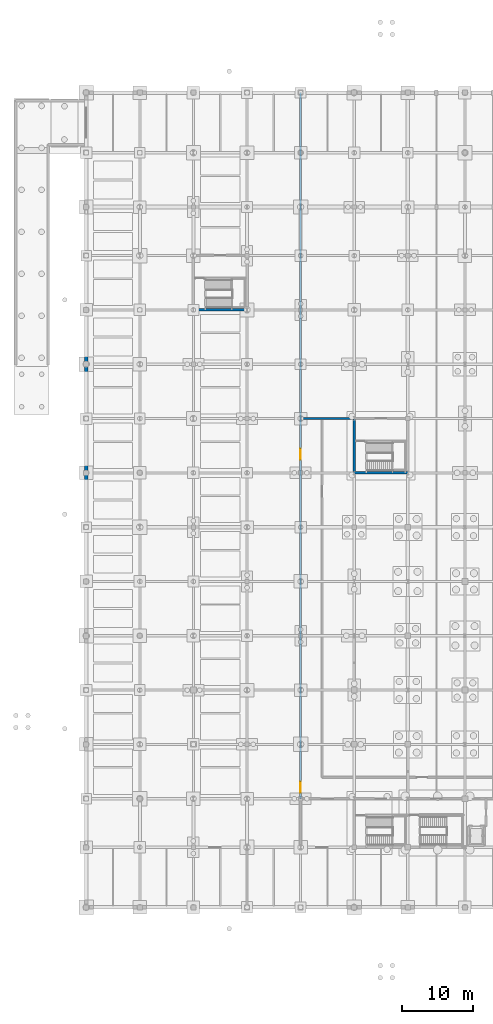
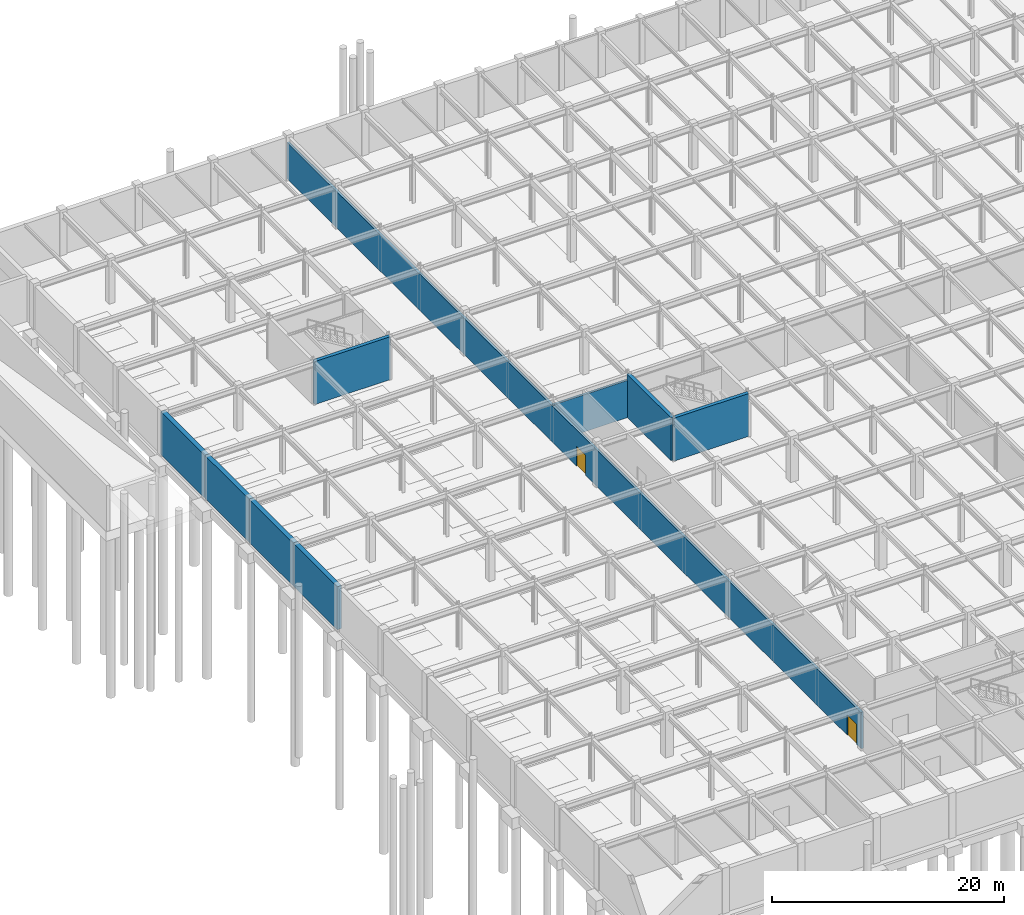
# One storey, part 43 of 53: 9 walls, 2 doors, 2 openings.
"""IFC4 building model written with IfcOpenShell, lengths in metres."""

from ifc_helpers import new_model, si_unit, direction, frame, frame_2d, origin, place, context, subcontext, project, spatial, rectangle, extrude, material, layer, layer_set, type_object, element, fill, save


model = new_model("IFC4")

# Units and contexts
model_context = context("Model", 3, precision=1e-05, world=origin(), true_north=direction((0.0, 1.0)))
body_context = subcontext(model_context, "Body", "Model", "MODEL_VIEW")
ifc_project = project(units=[si_unit("LENGTHUNIT", "METRE"), si_unit("AREAUNIT", "SQUARE_METRE"), si_unit("VOLUMEUNIT", "CUBIC_METRE"), si_unit("PLANEANGLEUNIT", "RADIAN"), si_unit("MASSUNIT", "GRAM", prefix="KILO")], contexts=[model_context])

# Site, building, storey
site_placement = place(None, origin())
site = spatial("IfcSite", under=ifc_project, at=site_placement, CompositionType="ELEMENT")
building_placement = place(site_placement, origin())
building = spatial("IfcBuilding", under=site, at=building_placement, Name="Shalkamar Park Central Library", CompositionType="ELEMENT")
storey_placement = place(building_placement, frame((0.0, 0.0, -4.800048828125)))
storey = spatial("IfcBuildingStorey", under=building, at=storey_placement, Name="B1", CompositionType="ELEMENT", Elevation=-4.800048828125)

# Walls
ifc_material_1 = material(Name="Concrete C40/50", Category="concrete")
ifc_layer_1 = layer(ifc_material_1, 0.449951171875)
ifc_layer_set_1 = layer_set([ifc_layer_1], Name="Concrete C40/50")
wall_type_1 = type_object("IfcWallType", Name="Basement Retaining Shear Wall 450", PredefinedType="SHEAR", material=ifc_layer_set_1)
wall_1_placement = place(storey_placement, frame((120.0, 293.199951171875, 0.0), z_axis=(0.0, 0.0, 1.0), x_axis=(0.0, 1.0, 0.0)))
element("IfcWall", 1, at=wall_1_placement, inside=storey, type_object=wall_type_1, Name="Basement Retaining Wall W-H", PredefinedType="SHEAR", context=body_context, shape_type="SweptSolid", body=[
    extrude(rectangle(XDim=7.60009765625, YDim=0.449951171875, at=frame_2d((3.800048828125, 0.0))), origin(), (0.0, 0.0, 1.0), 4.510009765625),
])
wall_2_placement = place(storey_placement, frame((120.0, 300.800048828125, 0.0), z_axis=(0.0, 0.0, 1.0), x_axis=(0.0, 1.0, 0.0)))
element("IfcWall", 2, at=wall_2_placement, inside=storey, type_object=wall_type_1, Name="Basement Retaining Wall W-J", PredefinedType="SHEAR", context=body_context, shape_type="SweptSolid", body=[
    extrude(rectangle(XDim=7.599853515625, YDim=0.449951171875, at=frame_2d((3.7998046875, 0.0))), origin(), (0.0, 0.0, 1.0), 4.510009765625),
])
for number, where, z_axis, x_axis, name in (
    (3, (120.0, 308.39990234375, 0.0), (0.0, 0.0, 1.0), (0.0, 1.0, 0.0), "Basement Retaining Wall W-K"),
    (4, (120.0, 316.0, 0.0), (0.0, 0.0, 1.0), (0.0, 1.0, 0.0), "Basement Retaining Wall W-L"),
):
    element("IfcWall", number, at=place(storey_placement, frame(where, z_axis=z_axis, x_axis=x_axis)), inside=storey, type_object=wall_type_1, Name=name, PredefinedType="SHEAR", context=body_context, shape_type="SweptSolid", body=[
        extrude(rectangle(XDim=7.60009765625, YDim=0.449951171875, at=frame_2d((3.800048828125, 0.0))), origin(), (0.0, 0.0, 1.0), 4.510009765625),
    ])

# Wall, openings, doors
ifc_material_2 = material(Name="Reinforced fire-compartment masonry wall", Category="masonry")
ifc_layer_2 = layer(ifc_material_2, 0.239990234375)
ifc_layer_set_2 = layer_set([ifc_layer_2], Name="CompartmentWall_240")
wall_type_2 = type_object("IfcWallType", Name="Compartment Wall 240", PredefinedType="PARTITIONING", material=ifc_layer_set_2)
wall_3_placement = place(storey_placement, frame((150.0, 255.199951171875, 0.0), z_axis=(0.0, 0.0, 1.0), x_axis=(0.0, 1.0, 0.0)))
wall_3 = element("IfcWall", 5, at=wall_3_placement, inside=storey, type_object=wall_type_2, Name="Interior Partition WL-INT-B1-027", PredefinedType="PARTITIONING", context=body_context, shape_type="SweptSolid", body=[
    extrude(rectangle(XDim=98.800048828125, YDim=0.239990234375, at=frame_2d((49.39990234375, 0.0))), origin(), (0.0, 0.0, 1.0), 3.80810546875),
])
opening_1_placement = place(wall_3_placement, frame((0.800048828125, 0.0, 0.0)))
opening_1 = element("IfcOpeningElement", 6, at=opening_1_placement, cuts=wall_3, Name="Opening DR-B1-024", PredefinedType="OPENING", context=body_context, shape_type="SweptSolid", body=[
    extrude(rectangle(XDim=1.60009765625, YDim=2.10009765625, at=frame_2d((0.800048828125, 1.050048828125))), frame((0.0, 0.134765625, 0.0), z_axis=(0.0, -1.0, 0.0), x_axis=(1.0, 0.0, 0.0)), (0.0, 0.0, 1.0), 0.269775390625),
])
opening_2_placement = place(wall_3_placement, frame((47.39990234375, 0.0, 0.0)))
opening_2 = element("IfcOpeningElement", 7, at=opening_2_placement, cuts=wall_3, Name="Opening DR-B1-025", PredefinedType="OPENING", context=body_context, shape_type="SweptSolid", body=[
    extrude(rectangle(XDim=1.60009765625, YDim=2.10009765625, at=frame_2d((0.800048828125, 1.050048828125))), frame((0.0, 0.134765625, 0.0), z_axis=(0.0, -1.0, 0.0), x_axis=(1.0, 0.0, 0.0)), (0.0, 0.0, 1.0), 0.269775390625),
])
ifc_material_3 = material(Name="Steel S355", Category="steel")
door_type = type_object("IfcDoorType", Name="Fire Door Double 1600x2100", OperationType="DOUBLE_DOOR_SINGLE_SWING", PredefinedType="DOOR", material=ifc_material_3)
door_1_placement = place(opening_1_placement, origin())
door_1 = element("IfcDoor", 8, at=door_1_placement, inside=storey, type_object=door_type, Name="Parking Airlock Vestibule South Door", OperationType="DOUBLE_DOOR_SINGLE_SWING", OverallHeight=2.10009765625, OverallWidth=1.60009765625, PredefinedType="DOOR", context=body_context, shape_type="SweptSolid", body=[
    extrude(rectangle(XDim=1.60009765625, YDim=2.10009765625, at=frame_2d((0.800048828125, 1.050048828125))), frame((0.0, 0.02490234375, 0.0), z_axis=(0.0, -1.0, 0.0), x_axis=(1.0, 0.0, 0.0)), (0.0, 0.0, 1.0), 0.050048828125),
])
fill(opening_1, door_1)
door_2_placement = place(opening_2_placement, origin())
door_2 = element("IfcDoor", 9, at=door_2_placement, inside=storey, type_object=door_type, Name="Parking Airlock Vestibule North Door", OperationType="DOUBLE_DOOR_SINGLE_SWING", OverallHeight=2.10009765625, OverallWidth=1.60009765625, PredefinedType="DOOR", context=body_context, shape_type="SweptSolid", body=[
    extrude(rectangle(XDim=1.60009765625, YDim=2.10009765625, at=frame_2d((0.800048828125, 1.050048828125))), frame((0.0, 0.02490234375, 0.0), z_axis=(0.0, -1.0, 0.0), x_axis=(1.0, 0.0, 0.0)), (0.0, 0.0, 1.0), 0.050048828125),
])
fill(opening_2, door_2)

# Walls
wall_4_placement = place(storey_placement, frame((150.0, 308.39990234375, 0.0), z_axis=(0.0, 0.0, 1.0), x_axis=(1.0, 0.0, 0.0)))
element("IfcWall", 10, at=wall_4_placement, inside=storey, type_object=wall_type_2, Name="Interior Partition WL-INT-B1-034-S1", PredefinedType="PARTITIONING", context=body_context, shape_type="SweptSolid", body=[
    extrude(rectangle(XDim=7.5, YDim=0.239990234375, at=frame_2d((3.75, 0.0))), origin(), (0.0, 0.0, 1.0), 3.907958984375),
])
ifc_layer_3 = layer(ifc_material_1, 0.35009765625)
ifc_layer_set_3 = layer_set([ifc_layer_3], Name="Concrete C40/50")
wall_type_3 = type_object("IfcWallType", Name="Podium Core Shear Wall 350", PredefinedType="SHEAR", material=ifc_layer_set_3)
wall_5_placement = place(storey_placement, frame((157.5, 300.800048828125, 0.0), z_axis=(0.0, 0.0, 1.0), x_axis=(1.0, 0.0, 0.0)))
element("IfcWall", 11, at=wall_5_placement, inside=storey, type_object=wall_type_3, Name="CORE-P2 South Shear Wall (B1)", PredefinedType="SHEAR", context=body_context, shape_type="SweptSolid", body=[
    extrude(rectangle(XDim=7.5, YDim=0.35009765625, at=frame_2d((3.75, 0.0))), origin(), (0.0, 0.0, 1.0), 4.510009765625),
])
wall_6_placement = place(storey_placement, frame((157.5, 300.800048828125, 0.0), z_axis=(0.0, 0.0, 1.0), x_axis=(0.0, 1.0, 0.0)))
element("IfcWall", 12, at=wall_6_placement, inside=storey, type_object=wall_type_3, Name="CORE-P2 West Shear Wall (B1)", PredefinedType="SHEAR", context=body_context, shape_type="SweptSolid", body=[
    extrude(rectangle(XDim=7.599853515625, YDim=0.35009765625, at=frame_2d((3.7998046875, 0.0))), origin(), (0.0, 0.0, 1.0), 4.510009765625),
])
wall_7_placement = place(storey_placement, frame((135.0, 323.60009765625, 0.0), z_axis=(0.0, 0.0, 1.0), x_axis=(1.0, 0.0, 0.0)))
element("IfcWall", 13, at=wall_7_placement, inside=storey, type_object=wall_type_3, Name="CORE-P5 South Shear Wall (B1)", PredefinedType="SHEAR", context=body_context, shape_type="SweptSolid", body=[
    extrude(rectangle(XDim=7.5, YDim=0.35009765625, at=frame_2d((3.75, 0.0))), origin(), (0.0, 0.0, 1.0), 4.510009765625),
])

save(model, "model.ifc")
